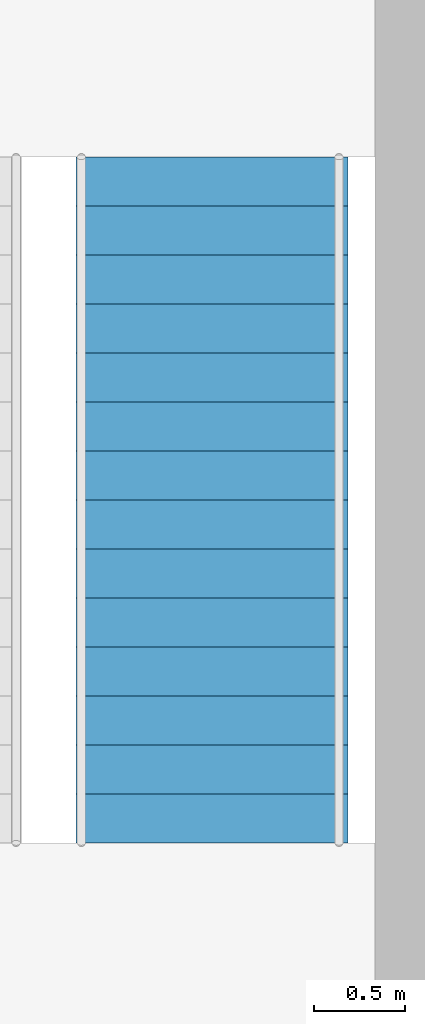
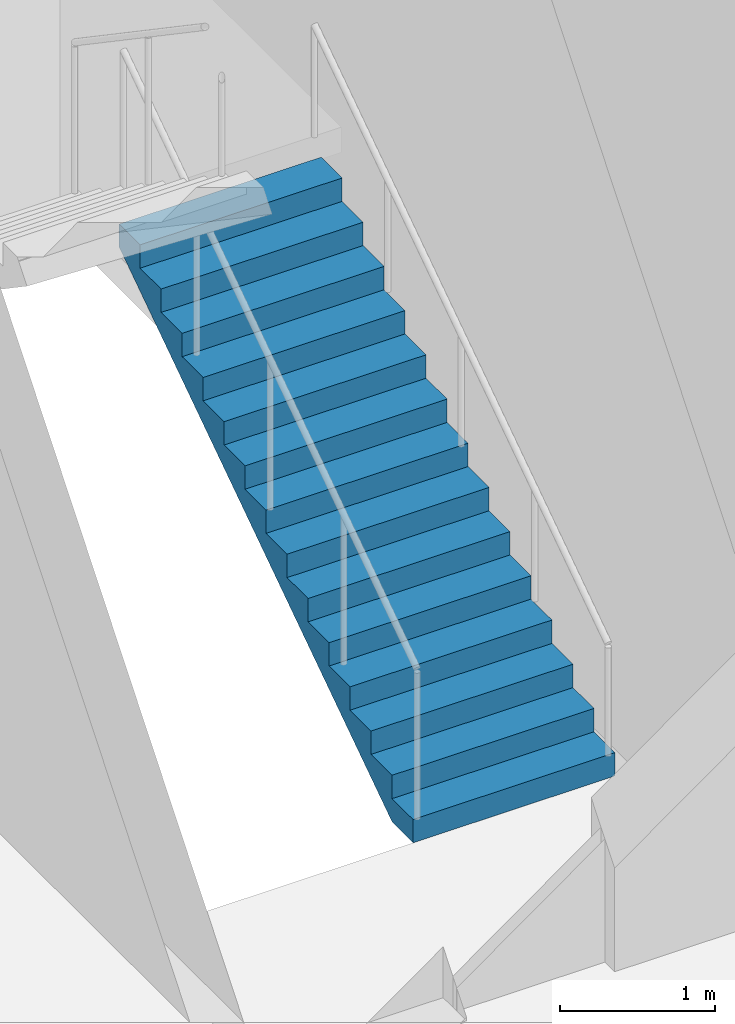
# One storey, part 7 of 8: 1 stair flight, 1 element without a shape of its own.
"""IFC4 building model written with IfcOpenShell, lengths in metres."""

from ifc_helpers import new_model, si_unit, direction, frame, origin, place, context, subcontext, project, spatial, polyline, outline, extrude, material, type_object, element, aggregate, save


model = new_model("IFC4")

# Units and contexts
model_context = context("Model", 3, precision=1e-05, world=origin(), true_north=direction((0.0, 1.0)))
body_context = subcontext(model_context, "Body", "Model", "MODEL_VIEW")
ifc_project = project(units=[si_unit("LENGTHUNIT", "METRE"), si_unit("AREAUNIT", "SQUARE_METRE"), si_unit("VOLUMEUNIT", "CUBIC_METRE"), si_unit("PLANEANGLEUNIT", "RADIAN"), si_unit("MASSUNIT", "GRAM", prefix="KILO")], contexts=[model_context])

# Site, building, storey
site_placement = place(None, origin())
site = spatial("IfcSite", under=ifc_project, at=site_placement, CompositionType="ELEMENT")
building_placement = place(site_placement, origin())
building = spatial("IfcBuilding", under=site, at=building_placement, Name="Peilmerk Tower", CompositionType="ELEMENT")
storey_placement = place(building_placement, frame((0.0, 0.0, 54.0)))
storey = spatial("IfcBuildingStorey", under=building, at=storey_placement, Name="L10", CompositionType="ELEMENT", Elevation=54.0)

# Stair, stair flight
ifc_material = material(Name="Precast concrete C45/55", Category="concrete")
stair_type = type_object("IfcStairType", Name="ST2 30 risers of 183.3", PredefinedType="HALF_TURN_STAIR", material=ifc_material)
stair_placement = place(storey_placement, origin())
stair = element("IfcStair", 1, at=stair_placement, inside=storey, type_object=stair_type, Name="Stair 2 L10 to L11", PredefinedType="HALF_TURN_STAIR")
stair_flight_type = type_object("IfcStairFlightType", Name="SF15 flight, 15 risers of 183.3", PredefinedType="STRAIGHT", material=ifc_material)
stair_flight_placement = place(storey_placement, frame((9.60009765625, -2.89990234375, 0.0), z_axis=(0.0, 0.0, 1.0), x_axis=(0.0, 1.0, 0.0)))
stair_flight = element("IfcStairFlight", 2, at=stair_flight_placement, type_object=stair_flight_type, Name="ST2 flight 1", NumberOfRisers=15, NumberOfTreads=14, PredefinedType="STRAIGHT", RiserHeight=0.183333333, TreadLength=0.27, context=body_context, shape_type="SweptSolid", body=[
    extrude(outline(polyline([(0.0, 0.0), (0.0, 0.183349609375), (0.27001953125, 0.183349609375), (0.27001953125, 0.36669921875), (0.5400390625, 0.36669921875), (0.5400390625, 0.550048828125), (0.81005859375, 0.550048828125), (0.81005859375, 0.7333984375), (1.080078125, 0.7333984375), (1.080078125, 0.916748046875), (1.35009765625, 0.916748046875), (1.35009765625, 1.10009765625), (1.6201171875, 1.10009765625), (1.6201171875, 1.283447265625), (1.889892578125, 1.283447265625), (1.889892578125, 1.466552734375), (2.159912109375, 1.466552734375), (2.159912109375, 1.64990234375), (2.429931640625, 1.64990234375), (2.429931640625, 1.833251953125), (2.699951171875, 1.833251953125), (2.699951171875, 2.0166015625), (2.969970703125, 2.0166015625), (2.969970703125, 2.199951171875), (3.239990234375, 2.199951171875), (3.239990234375, 2.38330078125), (3.510009765625, 2.38330078125), (3.510009765625, 2.566650390625), (3.780029296875, 2.566650390625), (3.780029296875, 2.75), (3.780029296875, 2.385498046875), (0.266845703125, 0.0), (0.0, 0.0)])), frame((0.0, 0.75, 0.0), z_axis=(0.0, -1.0, 0.0), x_axis=(1.0, 0.0, 0.0)), (0.0, 0.0, 1.0), 1.5),
])
aggregate(stair, [stair_flight])

save(model, "model.ifc")
